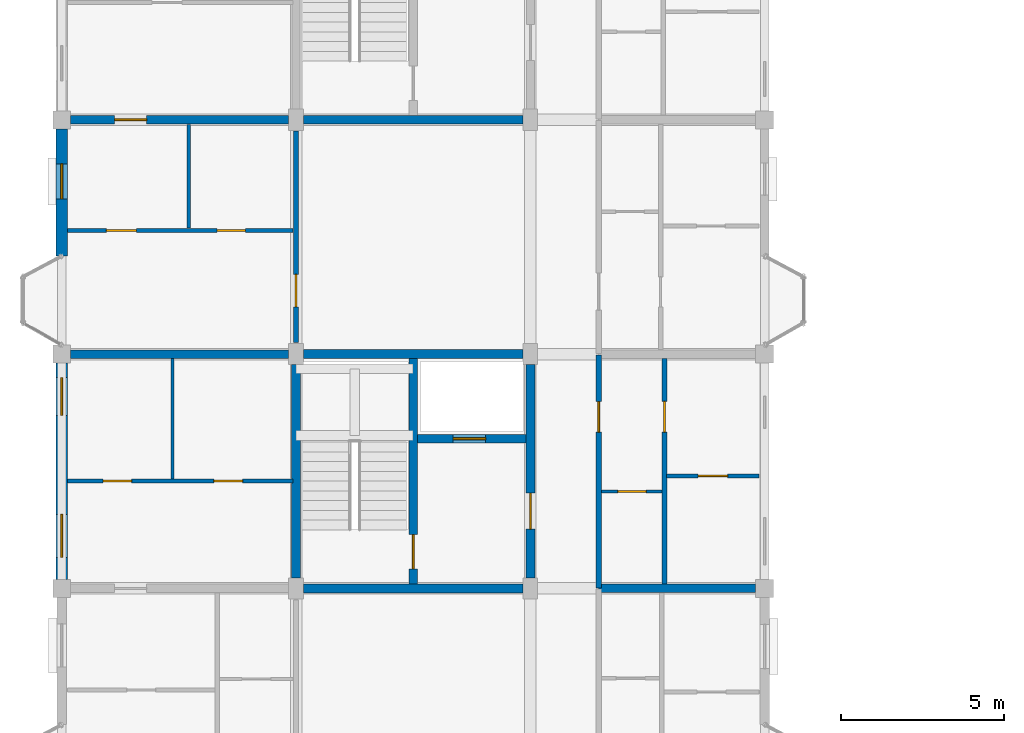
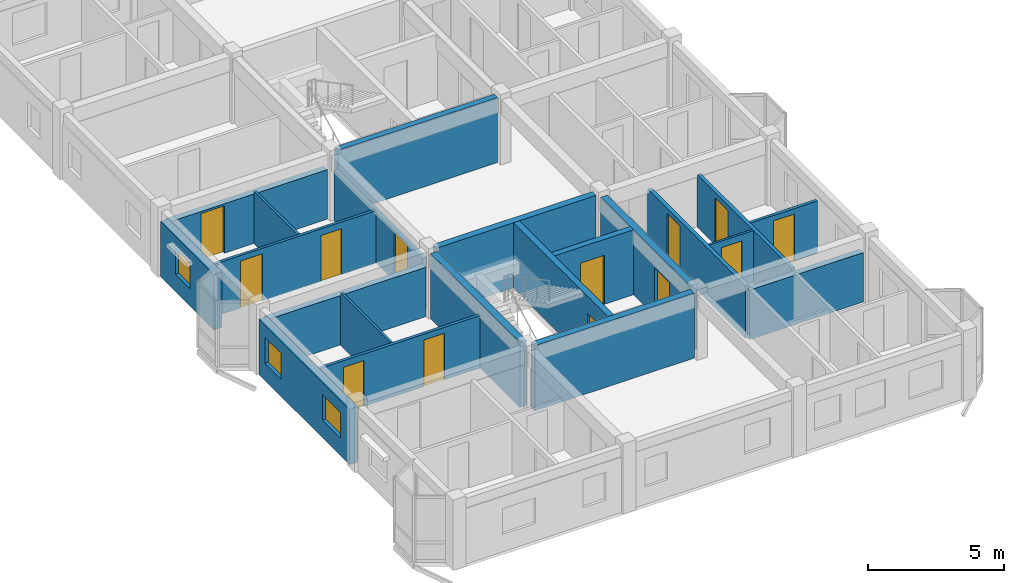
# One storey, part 56 of 77: 21 walls, 13 doors, 3 windows, 16 openings.
"""IFC4 building model written with IfcOpenShell, lengths in metres."""

from ifc_helpers import new_model, si_unit, direction, frame, frame_2d, origin, place, context, subcontext, project, spatial, rectangle, extrude, material, layer, layer_set, type_object, element, fill, save


model = new_model("IFC4")

# Units and contexts
model_context = context("Model", 3, precision=1e-05, world=origin(), true_north=direction((0.0, 1.0)))
body_context = subcontext(model_context, "Body", "Model", "MODEL_VIEW")
ifc_project = project(units=[si_unit("LENGTHUNIT", "METRE"), si_unit("AREAUNIT", "SQUARE_METRE"), si_unit("VOLUMEUNIT", "CUBIC_METRE"), si_unit("PLANEANGLEUNIT", "RADIAN"), si_unit("MASSUNIT", "GRAM", prefix="KILO"), si_unit("THERMODYNAMICTEMPERATUREUNIT", "KELVIN"), si_unit("POWERUNIT", "WATT")], contexts=[model_context])

# Site, building, storey
site_placement = place(None, origin())
site = spatial("IfcSite", under=ifc_project, at=site_placement, CompositionType="ELEMENT")
building_placement = place(site_placement, origin())
building = spatial("IfcBuilding", under=site, at=building_placement, Name="Tavuni Mirador Residences", CompositionType="ELEMENT")
storey_placement = place(building_placement, frame((0.0, 0.0, 10.800048828125)))
storey = spatial("IfcBuildingStorey", under=building, at=storey_placement, Name="L03", CompositionType="ELEMENT", Elevation=10.800048828125)

# Wall, opening, door
ifc_material_1 = material(Name="Precast concrete C40/50", Category="concrete")
ifc_layer_1 = layer(ifc_material_1, 0.25, Name="Precast concrete C40/50", Category="concrete")
ifc_layer_set_1 = layer_set([ifc_layer_1], Name="Precast concrete C40/50")
wall_type_1 = type_object("IfcWallType", Name="WT-COR250", PredefinedType="SHEAR", material=ifc_layer_set_1)
wall_1_placement = place(storey_placement, frame((14.39990234375, 72.139892578125, 0.0), z_axis=(0.0, 0.0, 1.0), x_axis=(0.0, 1.0, 0.0)))
wall_1 = element("IfcWall", 1, at=wall_1_placement, inside=storey, type_object=wall_type_1, Name="CWALL-C3-L03-MID", PredefinedType="SHEAR", context=body_context, shape_type="SweptSolid", body=[
    extrude(rectangle(XDim=6.920166015625, YDim=0.25, at=frame_2d((3.4599609375, 0.0))), origin(), (0.0, 0.0, 1.0), 2.909912109375),
])
opening_1_placement = place(wall_1_placement, frame((0.4599609375, 0.0, 0.0)))
opening_1 = element("IfcOpeningElement", 2, at=opening_1_placement, cuts=wall_1, Name="Opening D-01", PredefinedType="OPENING", context=body_context, shape_type="SweptSolid", body=[
    extrude(rectangle(XDim=1.050048828125, YDim=2.14990234375, at=frame_2d((0.52490234375, 1.074951171875))), frame((0.0, 0.135009765625, 0.0), z_axis=(0.0, -1.0, 0.0), x_axis=(1.0, 0.0, 0.0)), (0.0, 0.0, 1.0), 0.27001953125),
])
ifc_material_2 = material(Name="Solid core iroko timber", Category="wood")
door_type_1 = type_object("IfcDoorType", Name="DT-ST1050", OperationType="NOTDEFINED", PredefinedType="DOOR", material=ifc_material_2)
door_1_placement = place(opening_1_placement, origin())
door_1 = element("IfcDoor", 3, at=door_1_placement, inside=storey, type_object=door_type_1, Name="DR-2122", OperationType="SINGLE_SWING_RIGHT", OverallHeight=2.14990234375, OverallWidth=1.050048828125, PredefinedType="DOOR", context=body_context, shape_type="SweptSolid", body=[
    extrude(rectangle(XDim=1.050048828125, YDim=2.14990234375, at=frame_2d((0.52490234375, 1.074951171875))), frame((0.0, 0.02490234375, 0.0), z_axis=(0.0, -1.0, 0.0), x_axis=(1.0, 0.0, 0.0)), (0.0, 0.0, 1.0), 0.050048828125),
])
fill(opening_1, door_1)

wall_2_placement = place(storey_placement, frame((14.52490234375, 76.60009765625, 0.0), z_axis=(0.0, 0.0, 1.0), x_axis=(1.0, 0.0, 0.0)))
wall_2 = element("IfcWall", 4, at=wall_2_placement, inside=storey, type_object=wall_type_1, Name="CWALL-C3-L03-SHF", PredefinedType="SHEAR", context=body_context, shape_type="SweptSolid", body=[
    extrude(rectangle(XDim=3.335205078125, YDim=0.25, at=frame_2d((1.66748046875, 0.0))), origin(), (0.0, 0.0, 1.0), 2.909912109375),
])
opening_2_placement = place(wall_2_placement, frame((1.10009765625, 0.0, 0.0)))
opening_2 = element("IfcOpeningElement", 5, at=opening_2_placement, cuts=wall_2, Name="Opening LD-02", PredefinedType="OPENING", context=body_context, shape_type="SweptSolid", body=[
    extrude(rectangle(XDim=1.0, YDim=2.199951171875, at=frame_2d((0.5, 1.10009765625))), frame((0.0, 0.135009765625, 0.0), z_axis=(0.0, -1.0, 0.0), x_axis=(1.0, 0.0, 0.0)), (0.0, 0.0, 1.0), 0.27001953125),
])
ifc_material_3 = material(Name="Structural steel S355", Category="steel")
door_type_2 = type_object("IfcDoorType", Name="DT-LD-PAX", OperationType="SLIDING_TO_LEFT", PredefinedType="DOOR", material=ifc_material_3)
door_2_placement = place(opening_2_placement, origin())
door_2 = element("IfcDoor", 6, at=door_2_placement, inside=storey, type_object=door_type_2, Name="Lift landing door PL-B1 L03", OperationType="SLIDING_TO_LEFT", OverallHeight=2.199951171875, OverallWidth=1.0, PredefinedType="DOOR", context=body_context, shape_type="SweptSolid", body=[
    extrude(rectangle(XDim=1.0, YDim=2.199951171875, at=frame_2d((0.5, 1.10009765625))), frame((0.0, 0.02490234375, 0.0), z_axis=(0.0, -1.0, 0.0), x_axis=(1.0, 0.0, 0.0)), (0.0, 0.0, 1.0), 0.050048828125),
])
fill(opening_2, door_2)

# Walls
wall_3_placement = place(storey_placement, frame((11.02490234375, 86.39990234375, 0.0), z_axis=(0.0, 0.0, 1.0), x_axis=(1.0, 0.0, 0.0)))
element("IfcWall", 7, at=wall_3_placement, inside=storey, type_object=wall_type_1, Name="CWALL-C4-L03-SS", PredefinedType="SHEAR", context=body_context, shape_type="SweptSolid", body=[
    extrude(rectangle(XDim=6.75, YDim=0.25, at=frame_2d((3.375, 0.0))), origin(), (0.0, 0.0, 1.0), 2.909912109375),
])
ifc_layer_2 = layer(ifc_material_1, 0.280029296875, Name="Precast concrete C40/50", Category="concrete")
ifc_layer_set_2 = layer_set([ifc_layer_2], Name="Precast concrete C40/50")
wall_type_2 = type_object("IfcWallType", Name="WT-COR280", PredefinedType="SHEAR", material=ifc_layer_set_2)
wall_4_placement = place(storey_placement, frame((10.800048828125, 72.324951171875, 0.0), z_axis=(0.0, 0.0, 1.0), x_axis=(0.0, 1.0, 0.0)))
element("IfcWall", 8, at=wall_4_placement, inside=storey, type_object=wall_type_2, Name="CWALL-C3-L03-W", PredefinedType="SHEAR", context=body_context, shape_type="SweptSolid", body=[
    extrude(rectangle(XDim=6.550048828125, YDim=0.280029296875, at=frame_2d((3.27490234375, 0.0))), origin(), (0.0, 0.0, 1.0), 2.909912109375),
])
wall_5_placement = place(storey_placement, frame((11.02490234375, 79.199951171875, 0.0), z_axis=(0.0, 0.0, 1.0), x_axis=(1.0, 0.0, 0.0)))
element("IfcWall", 9, at=wall_5_placement, inside=storey, type_object=wall_type_2, Name="CWALL-C3-L03-N", PredefinedType="SHEAR", context=body_context, shape_type="SweptSolid", body=[
    extrude(rectangle(XDim=6.75, YDim=0.280029296875, at=frame_2d((3.375, 0.0))), origin(), (0.0, 0.0, 1.0), 2.909912109375),
])

# Wall, opening, door
wall_6_placement = place(storey_placement, frame((18.0, 72.324951171875, 0.0), z_axis=(0.0, 0.0, 1.0), x_axis=(0.0, 1.0, 0.0)))
wall_6 = element("IfcWall", 10, at=wall_6_placement, inside=storey, type_object=wall_type_2, Name="CWALL-C3-L03-E", PredefinedType="SHEAR", context=body_context, shape_type="SweptSolid", body=[
    extrude(rectangle(XDim=6.550048828125, YDim=0.280029296875, at=frame_2d((3.27490234375, 0.0))), origin(), (0.0, 0.0, 1.0), 2.909912109375),
])
opening_3_placement = place(wall_6_placement, frame((1.5, 0.0, 0.0)))
opening_3 = element("IfcOpeningElement", 11, at=opening_3_placement, cuts=wall_6, Name="Opening D-02", PredefinedType="OPENING", context=body_context, shape_type="SweptSolid", body=[
    extrude(rectangle(XDim=1.10009765625, YDim=2.14990234375, at=frame_2d((0.550048828125, 1.074951171875))), frame((0.0, 0.14990234375, 0.0), z_axis=(0.0, -1.0, 0.0), x_axis=(1.0, 0.0, 0.0)), (0.0, 0.0, 1.0), 0.300048828125),
])
door_type_3 = type_object("IfcDoorType", Name="DT-LOB1100", OperationType="NOTDEFINED", PredefinedType="DOOR", material=ifc_material_2)
door_3_placement = place(opening_3_placement, frame((1.10009765625, 0.0, 0.0), z_axis=(0.0, 0.0, 1.0), x_axis=(-1.0, 0.0, 0.0)))
door_3 = element("IfcDoor", 12, at=door_3_placement, inside=storey, type_object=door_type_3, Name="DR-2121", OperationType="SINGLE_SWING_RIGHT", OverallHeight=2.14990234375, OverallWidth=1.10009765625, PredefinedType="DOOR", context=body_context, shape_type="SweptSolid", body=[
    extrude(rectangle(XDim=1.10009765625, YDim=2.14990234375, at=frame_2d((0.550048828125, 1.074951171875))), frame((0.0, 0.02490234375, 0.0), z_axis=(0.0, -1.0, 0.0), x_axis=(1.0, 0.0, 0.0)), (0.0, 0.0, 1.0), 0.050048828125),
])
fill(opening_3, door_3)

# Wall
wall_7_placement = place(storey_placement, frame((11.02490234375, 72.0, 0.0), z_axis=(0.0, 0.0, 1.0), x_axis=(1.0, 0.0, 0.0)))
element("IfcWall", 13, at=wall_7_placement, inside=storey, type_object=wall_type_2, Name="CWALL-C3-L03-SS", PredefinedType="SHEAR", context=body_context, shape_type="SweptSolid", body=[
    extrude(rectangle(XDim=6.75, YDim=0.280029296875, at=frame_2d((3.375, 0.0))), origin(), (0.0, 0.0, 1.0), 2.909912109375),
])

# Wall, opening, door
ifc_layer_3 = layer(ifc_material_1, 0.1650390625, Name="Precast concrete C40/50", Category="concrete")
ifc_layer_set_3 = layer_set([ifc_layer_3], Name="Precast concrete C40/50")
wall_type_3 = type_object("IfcWallType", Name="WT-CORR165", PredefinedType="PARTITIONING", material=ifc_layer_set_3)
wall_8_placement = place(storey_placement, frame((20.10009765625, 72.02001953125, 0.0), z_axis=(0.0, 0.0, 1.0), x_axis=(0.0, 1.0, 0.0)))
wall_8 = element("IfcWall", 14, at=wall_8_placement, inside=storey, type_object=wall_type_3, Name="CORW-BLK-B-L03-0-01", PredefinedType="PARTITIONING", context=body_context, shape_type="SweptSolid", body=[
    extrude(rectangle(XDim=7.159912109375, YDim=0.1650390625, at=frame_2d((3.580078125, 0.0))), origin(), (0.0, 0.0, 1.0), 2.344970703125),
])
opening_4_placement = place(wall_8_placement, frame((4.780029296875, 0.0, 0.0)))
opening_4 = element("IfcOpeningElement", 15, at=opening_4_placement, cuts=wall_8, Name="Opening D-19", PredefinedType="OPENING", context=body_context, shape_type="SweptSolid", body=[
    extrude(rectangle(XDim=0.93994140625, YDim=2.1201171875, at=frame_2d((0.469970703125, 1.06005859375))), frame((0.0, 0.092529296875, 0.0), z_axis=(0.0, -1.0, 0.0), x_axis=(1.0, 0.0, 0.0)), (0.0, 0.0, 1.0), 0.18505859375),
])
door_type_4 = type_object("IfcDoorType", Name="DT-FD60-940", OperationType="NOTDEFINED", PredefinedType="DOOR", material=ifc_material_2)
door_4_placement = place(opening_4_placement, origin())
door_4 = element("IfcDoor", 16, at=door_4_placement, inside=storey, type_object=door_type_4, Name="DR-2554", OperationType="SINGLE_SWING_LEFT", OverallHeight=2.1201171875, OverallWidth=0.93994140625, PredefinedType="DOOR", context=body_context, shape_type="SweptSolid", body=[
    extrude(rectangle(XDim=0.93994140625, YDim=2.1201171875, at=frame_2d((0.469970703125, 1.06005859375))), frame((0.0, 0.02490234375, 0.0), z_axis=(0.0, -1.0, 0.0), x_axis=(1.0, 0.0, 0.0)), (0.0, 0.0, 1.0), 0.050048828125),
])
fill(opening_4, door_4)

wall_9_placement = place(storey_placement, frame((10.800048828125, 79.550048828125, 0.0), z_axis=(0.0, 0.0, 1.0), x_axis=(0.0, 1.0, 0.0)))
wall_9 = element("IfcWall", 17, at=wall_9_placement, inside=storey, type_object=wall_type_3, Name="CORW-BLK-B-L03-1-02", PredefinedType="PARTITIONING", context=body_context, shape_type="SweptSolid", body=[
    extrude(rectangle(XDim=6.5, YDim=0.1650390625, at=frame_2d((3.25, 0.0))), origin(), (0.0, 0.0, 1.0), 2.260009765625),
])
opening_5_placement = place(wall_9_placement, frame((1.10009765625, 0.0, 0.0)))
opening_5 = element("IfcOpeningElement", 18, at=opening_5_placement, cuts=wall_9, Name="Opening D-03", PredefinedType="OPENING", context=body_context, shape_type="SweptSolid", body=[
    extrude(rectangle(XDim=1.0, YDim=2.14990234375, at=frame_2d((0.5, 1.074951171875))), frame((0.0, 0.092529296875, 0.0), z_axis=(0.0, -1.0, 0.0), x_axis=(1.0, 0.0, 0.0)), (0.0, 0.0, 1.0), 0.18505859375),
])
door_type_5 = type_object("IfcDoorType", Name="DT-FD60-1000", OperationType="NOTDEFINED", PredefinedType="DOOR", material=ifc_material_2)
door_5_placement = place(opening_5_placement, origin())
door_5 = element("IfcDoor", 19, at=door_5_placement, inside=storey, type_object=door_type_5, Name="DR-2559", OperationType="SINGLE_SWING_RIGHT", OverallHeight=2.14990234375, OverallWidth=1.0, PredefinedType="DOOR", context=body_context, shape_type="SweptSolid", body=[
    extrude(rectangle(XDim=1.0, YDim=2.14990234375, at=frame_2d((0.5, 1.074951171875))), frame((0.0, 0.02490234375, 0.0), z_axis=(0.0, -1.0, 0.0), x_axis=(1.0, 0.0, 0.0)), (0.0, 0.0, 1.0), 0.050048828125),
])
fill(opening_5, door_5)

# Wall, opening, window
ifc_material_4 = material(Name="Sgraffito lime-rendered precast concrete C40/50", Category="concrete")
ifc_layer_4 = layer(ifc_material_4, 0.344970703125, Name="Sgraffito lime-rendered precast concrete C40/50", Category="concrete")
ifc_layer_set_4 = layer_set([ifc_layer_4], Name="Sgraffito lime-rendered precast concrete C40/50")
wall_type_4 = type_object("IfcWallType", Name="WT-EXT-PTY345", PredefinedType="SOLIDWALL", material=ifc_layer_set_4)
wall_10_placement = place(storey_placement, frame((3.60009765625, 86.125, 0.0), z_axis=(0.0, 0.0, 1.0), x_axis=(0.0, -1.0, 0.0)))
wall_10 = element("IfcWall", 20, at=wall_10_placement, inside=storey, type_object=wall_type_4, Name="EW-BLK-B-L03-W02", PredefinedType="SOLIDWALL", context=body_context, shape_type="SweptSolid", body=[
    extrude(rectangle(XDim=3.905029296875, YDim=0.344970703125, at=frame_2d((1.95263671875, 0.0))), origin(), (0.0, 0.0, 1.0), 2.47998046875),
])
opening_6_placement = place(wall_10_placement, frame((1.077392578125, 0.0, 0.780029296875)))
opening_6 = element("IfcOpeningElement", 21, at=opening_6_placement, cuts=wall_10, Name="Opening WN-04", PredefinedType="OPENING", context=body_context, shape_type="SweptSolid", body=[
    extrude(rectangle(XDim=1.080078125, YDim=1.14990234375, at=frame_2d((0.5400390625, 0.574951171875))), frame((0.0, 0.1826171875, 0.0), z_axis=(0.0, -1.0, 0.0), x_axis=(1.0, 0.0, 0.0)), (0.0, 0.0, 1.0), 0.364990234375),
])
ifc_material_5 = material(Name="Laminated solar-control glass", Category="glass")
window_type_1 = type_object("IfcWindowType", Name="WNT-04", PartitioningType="SINGLE_PANEL", PredefinedType="WINDOW", material=ifc_material_5)
window_1_placement = place(opening_6_placement, origin())
window_1 = element("IfcWindow", 22, at=window_1_placement, inside=storey, type_object=window_type_1, Name="WIN-0660", OverallHeight=1.14990234375, OverallWidth=1.080078125, PartitioningType="SINGLE_PANEL", PredefinedType="WINDOW", context=body_context, shape_type="SweptSolid", body=[
    extrude(rectangle(XDim=1.080078125, YDim=1.14990234375, at=frame_2d((0.5400390625, 0.574951171875))), frame((0.0, 0.030029296875, 0.0), z_axis=(0.0, -1.0, 0.0), x_axis=(1.0, 0.0, 0.0)), (0.0, 0.0, 1.0), 0.06005859375),
])
fill(opening_6, window_1)

# Wall, openings, windows
wall_11_placement = place(storey_placement, frame((3.60009765625, 78.925048828125, 0.0), z_axis=(0.0, 0.0, 1.0), x_axis=(0.0, -1.0, 0.0)))
wall_11 = element("IfcWall", 23, at=wall_11_placement, inside=storey, type_object=wall_type_4, Name="EW-BLK-B-L03-W01", PredefinedType="SOLIDWALL", context=body_context, shape_type="SweptSolid", body=[
    extrude(rectangle(XDim=6.650146484375, YDim=0.344970703125, at=frame_2d((3.3251953125, 0.0))), origin(), (0.0, 0.0, 1.0), 2.47998046875),
])
opening_7_placement = place(wall_11_placement, frame((0.449951171875, 0.0, 0.780029296875)))
opening_7 = element("IfcOpeningElement", 24, at=opening_7_placement, cuts=wall_11, Name="Opening WN-05", PredefinedType="OPENING", context=body_context, shape_type="SweptSolid", body=[
    extrude(rectangle(XDim=1.159912109375, YDim=1.14990234375, at=frame_2d((0.580078125, 0.574951171875))), frame((0.0, 0.1826171875, 0.0), z_axis=(0.0, -1.0, 0.0), x_axis=(1.0, 0.0, 0.0)), (0.0, 0.0, 1.0), 0.364990234375),
])
opening_8_placement = place(wall_11_placement, frame((4.64990234375, 0.0, 0.780029296875)))
opening_8 = element("IfcOpeningElement", 25, at=opening_8_placement, cuts=wall_11, Name="Opening WN-07", PredefinedType="OPENING", context=body_context, shape_type="SweptSolid", body=[
    extrude(rectangle(XDim=1.320068359375, YDim=1.14990234375, at=frame_2d((0.66015625, 0.574951171875))), frame((0.0, 0.1826171875, 0.0), z_axis=(0.0, -1.0, 0.0), x_axis=(1.0, 0.0, 0.0)), (0.0, 0.0, 1.0), 0.364990234375),
])
window_type_2 = type_object("IfcWindowType", Name="WNT-05", PartitioningType="SINGLE_PANEL", PredefinedType="WINDOW", material=ifc_material_5)
window_2_placement = place(opening_7_placement, origin())
window_2 = element("IfcWindow", 26, at=window_2_placement, inside=storey, type_object=window_type_2, Name="WIN-0661", OverallHeight=1.14990234375, OverallWidth=1.159912109375, PartitioningType="SINGLE_PANEL", PredefinedType="WINDOW", context=body_context, shape_type="SweptSolid", body=[
    extrude(rectangle(XDim=1.159912109375, YDim=1.14990234375, at=frame_2d((0.580078125, 0.574951171875))), frame((0.0, 0.030029296875, 0.0), z_axis=(0.0, -1.0, 0.0), x_axis=(1.0, 0.0, 0.0)), (0.0, 0.0, 1.0), 0.06005859375),
])
fill(opening_7, window_2)
window_type_3 = type_object("IfcWindowType", Name="WNT-07", PartitioningType="SINGLE_PANEL", PredefinedType="WINDOW", material=ifc_material_5)
window_3_placement = place(opening_8_placement, origin())
window_3 = element("IfcWindow", 27, at=window_3_placement, inside=storey, type_object=window_type_3, Name="WIN-0662", OverallHeight=1.14990234375, OverallWidth=1.320068359375, PartitioningType="SINGLE_PANEL", PredefinedType="WINDOW", context=body_context, shape_type="SweptSolid", body=[
    extrude(rectangle(XDim=1.320068359375, YDim=1.14990234375, at=frame_2d((0.66015625, 0.574951171875))), frame((0.0, 0.030029296875, 0.0), z_axis=(0.0, -1.0, 0.0), x_axis=(1.0, 0.0, 0.0)), (0.0, 0.0, 1.0), 0.06005859375),
])
fill(opening_8, window_3)

# Wall
ifc_material_6 = material(Name="Acoustic gypsum and concrete block partition", Category="concrete")
ifc_layer_5 = layer(ifc_material_6, 0.094970703125, Name="Acoustic gypsum and concrete block partition", Category="concrete")
ifc_layer_set_5 = layer_set([ifc_layer_5], Name="Acoustic gypsum and concrete block partition")
wall_type_5 = type_object("IfcWallType", Name="WT-PART095", PredefinedType="PARTITIONING", material=ifc_layer_set_5)
wall_12_placement = place(storey_placement, frame((7.0, 75.3701171875, 0.0), z_axis=(0.0, 0.0, 1.0), x_axis=(0.0, 1.0, 0.0)))
element("IfcWall", 28, at=wall_12_placement, inside=storey, type_object=wall_type_5, Name="PW-BLK-B-L03-PF01-V", PredefinedType="PARTITIONING", context=body_context, shape_type="SweptSolid", body=[
    extrude(rectangle(XDim=3.68994140625, YDim=0.094970703125, at=frame_2d((1.844970703125, 0.0))), origin(), (0.0, 0.0, 1.0), 2.344970703125),
])

# Wall, opening, door
wall_13_placement = place(storey_placement, frame((20.18994140625, 74.97998046875, 0.0), z_axis=(0.0, 0.0, 1.0), x_axis=(1.0, 0.0, 0.0)))
wall_13 = element("IfcWall", 29, at=wall_13_placement, inside=storey, type_object=wall_type_5, Name="PW-BLK-B-L03-E01-IN1", PredefinedType="PARTITIONING", context=body_context, shape_type="SweptSolid", body=[
    extrude(rectangle(XDim=1.860107421875, YDim=0.094970703125, at=frame_2d((0.93017578125, 0.0))), origin(), (0.0, 0.0, 1.0), 2.344970703125),
])
opening_9_placement = place(wall_13_placement, frame((0.4951171875, 0.0, 0.0)))
opening_9 = element("IfcOpeningElement", 30, at=opening_9_placement, cuts=wall_13, Name="Opening D-10", PredefinedType="OPENING", context=body_context, shape_type="SweptSolid", body=[
    extrude(rectangle(XDim=0.8701171875, YDim=2.050048828125, at=frame_2d((0.43505859375, 1.02490234375))), frame((0.0, 0.0576171875, 0.0), z_axis=(0.0, -1.0, 0.0), x_axis=(1.0, 0.0, 0.0)), (0.0, 0.0, 1.0), 0.114990234375),
])
door_type_6 = type_object("IfcDoorType", Name="DT-WC870", OperationType="NOTDEFINED", PredefinedType="DOOR", material=ifc_material_2)
door_6_placement = place(opening_9_placement, origin())
door_6 = element("IfcDoor", 31, at=door_6_placement, inside=storey, type_object=door_type_6, Name="DR-3510", OperationType="SINGLE_SWING_RIGHT", OverallHeight=2.050048828125, OverallWidth=0.8701171875, PredefinedType="DOOR", context=body_context, shape_type="SweptSolid", body=[
    extrude(rectangle(XDim=0.8701171875, YDim=2.050048828125, at=frame_2d((0.43505859375, 1.02490234375))), frame((0.0, 0.02490234375, 0.0), z_axis=(0.0, -1.0, 0.0), x_axis=(1.0, 0.0, 0.0)), (0.0, 0.0, 1.0), 0.050048828125),
])
fill(opening_9, door_6)

# Wall
ifc_layer_6 = layer(ifc_material_6, 0.10498046875, Name="Acoustic gypsum and concrete block partition", Category="concrete")
ifc_layer_set_6 = layer_set([ifc_layer_6], Name="Acoustic gypsum and concrete block partition")
wall_type_6 = type_object("IfcWallType", Name="WT-PART105", PredefinedType="PARTITIONING", material=ifc_layer_set_6)
wall_14_placement = place(storey_placement, frame((7.5, 83.070068359375, 0.0), z_axis=(0.0, 0.0, 1.0), x_axis=(0.0, 1.0, 0.0)))
element("IfcWall", 32, at=wall_14_placement, inside=storey, type_object=wall_type_6, Name="PW-BLK-B-L03-PF02-V", PredefinedType="PARTITIONING", context=body_context, shape_type="SweptSolid", body=[
    extrude(rectangle(XDim=3.18994140625, YDim=0.10498046875, at=frame_2d((1.594970703125, 0.0))), origin(), (0.0, 0.0, 1.0), 2.344970703125),
])

# Wall, openings, doors
ifc_layer_7 = layer(ifc_material_6, 0.114990234375, Name="Acoustic gypsum and concrete block partition", Category="concrete")
ifc_layer_set_7 = layer_set([ifc_layer_7], Name="Acoustic gypsum and concrete block partition")
wall_type_7 = type_object("IfcWallType", Name="WT-PART115", PredefinedType="PARTITIONING", material=ifc_layer_set_7)
wall_15_placement = place(storey_placement, frame((3.77490234375, 83.0, 0.0), z_axis=(0.0, 0.0, 1.0), x_axis=(1.0, 0.0, 0.0)))
wall_15 = element("IfcWall", 33, at=wall_15_placement, inside=storey, type_object=wall_type_7, Name="PW-BLK-B-L03-PF02-H", PredefinedType="PARTITIONING", context=body_context, shape_type="SweptSolid", body=[
    extrude(rectangle(XDim=6.93505859375, YDim=0.114990234375, at=frame_2d((3.467529296875, 0.0))), origin(), (0.0, 0.0, 1.0), 2.344970703125),
])
opening_10_placement = place(wall_15_placement, frame((4.60009765625, 0.0, 0.0)))
opening_10 = element("IfcOpeningElement", 34, at=opening_10_placement, cuts=wall_15, Name="Opening D-10", PredefinedType="OPENING", context=body_context, shape_type="SweptSolid", body=[
    extrude(rectangle(XDim=0.8701171875, YDim=2.050048828125, at=frame_2d((0.43505859375, 1.02490234375))), frame((0.0, 0.0673828125, 0.0), z_axis=(0.0, -1.0, 0.0), x_axis=(1.0, 0.0, 0.0)), (0.0, 0.0, 1.0), 0.135009765625),
])
opening_11_placement = place(wall_15_placement, frame((1.199951171875, 0.0, 0.0)))
opening_11 = element("IfcOpeningElement", 35, at=opening_11_placement, cuts=wall_15, Name="Opening D-06", PredefinedType="OPENING", context=body_context, shape_type="SweptSolid", body=[
    extrude(rectangle(XDim=0.919921875, YDim=2.10009765625, at=frame_2d((0.4599609375, 1.050048828125))), frame((0.0, 0.0673828125, 0.0), z_axis=(0.0, -1.0, 0.0), x_axis=(1.0, 0.0, 0.0)), (0.0, 0.0, 1.0), 0.135009765625),
])
door_type_7 = type_object("IfcDoorType", Name="DT-INT920", OperationType="NOTDEFINED", PredefinedType="DOOR", material=ifc_material_2)
door_7_placement = place(opening_11_placement, origin())
door_7 = element("IfcDoor", 36, at=door_7_placement, inside=storey, type_object=door_type_7, Name="DR-3513", OperationType="SINGLE_SWING_RIGHT", OverallHeight=2.10009765625, OverallWidth=0.919921875, PredefinedType="DOOR", context=body_context, shape_type="SweptSolid", body=[
    extrude(rectangle(XDim=0.919921875, YDim=2.10009765625, at=frame_2d((0.4599609375, 1.050048828125))), frame((0.0, 0.02490234375, 0.0), z_axis=(0.0, -1.0, 0.0), x_axis=(1.0, 0.0, 0.0)), (0.0, 0.0, 1.0), 0.050048828125),
])
fill(opening_11, door_7)
door_8_placement = place(opening_10_placement, origin())
door_8 = element("IfcDoor", 37, at=door_8_placement, inside=storey, type_object=door_type_6, Name="DR-3512", OperationType="SINGLE_SWING_LEFT", OverallHeight=2.050048828125, OverallWidth=0.8701171875, PredefinedType="DOOR", context=body_context, shape_type="SweptSolid", body=[
    extrude(rectangle(XDim=0.8701171875, YDim=2.050048828125, at=frame_2d((0.43505859375, 1.02490234375))), frame((0.0, 0.02490234375, 0.0), z_axis=(0.0, -1.0, 0.0), x_axis=(1.0, 0.0, 0.0)), (0.0, 0.0, 1.0), 0.050048828125),
])
fill(opening_10, door_8)

ifc_layer_8 = layer(ifc_material_6, 0.125, Name="Acoustic gypsum and concrete block partition", Category="concrete")
ifc_layer_set_8 = layer_set([ifc_layer_8], Name="Acoustic gypsum and concrete block partition")
wall_type_8 = type_object("IfcWallType", Name="WT-PART125", PredefinedType="PARTITIONING", material=ifc_layer_set_8)
wall_16_placement = place(storey_placement, frame((3.77490234375, 75.300048828125, 0.0), z_axis=(0.0, 0.0, 1.0), x_axis=(1.0, 0.0, 0.0)))
wall_16 = element("IfcWall", 38, at=wall_16_placement, inside=storey, type_object=wall_type_8, Name="PW-BLK-B-L03-PF01-H", PredefinedType="PARTITIONING", context=body_context, shape_type="SweptSolid", body=[
    extrude(rectangle(XDim=6.93505859375, YDim=0.125, at=frame_2d((3.467529296875, 0.0))), origin(), (0.0, 0.0, 1.0), 2.344970703125),
])
opening_12_placement = place(wall_16_placement, frame((1.10009765625, 0.0, 0.0)))
opening_12 = element("IfcOpeningElement", 39, at=opening_12_placement, cuts=wall_16, Name="Opening D-10", PredefinedType="OPENING", context=body_context, shape_type="SweptSolid", body=[
    extrude(rectangle(XDim=0.8701171875, YDim=2.050048828125, at=frame_2d((0.43505859375, 1.02490234375))), frame((0.0, 0.072509765625, 0.0), z_axis=(0.0, -1.0, 0.0), x_axis=(1.0, 0.0, 0.0)), (0.0, 0.0, 1.0), 0.14501953125),
])
opening_13_placement = place(wall_16_placement, frame((4.5, 0.0, 0.0)))
opening_13 = element("IfcOpeningElement", 40, at=opening_13_placement, cuts=wall_16, Name="Opening D-08", PredefinedType="OPENING", context=body_context, shape_type="SweptSolid", body=[
    extrude(rectangle(XDim=0.8798828125, YDim=2.080078125, at=frame_2d((0.43994140625, 1.0400390625))), frame((0.0, 0.072509765625, 0.0), z_axis=(0.0, -1.0, 0.0), x_axis=(1.0, 0.0, 0.0)), (0.0, 0.0, 1.0), 0.14501953125),
])
door_type_8 = type_object("IfcDoorType", Name="DT-BED880", OperationType="NOTDEFINED", PredefinedType="DOOR", material=ifc_material_2)
door_9_placement = place(opening_13_placement, origin())
door_9 = element("IfcDoor", 41, at=door_9_placement, inside=storey, type_object=door_type_8, Name="DR-3508", OperationType="SINGLE_SWING_RIGHT", OverallHeight=2.080078125, OverallWidth=0.8798828125, PredefinedType="DOOR", context=body_context, shape_type="SweptSolid", body=[
    extrude(rectangle(XDim=0.8798828125, YDim=2.080078125, at=frame_2d((0.43994140625, 1.0400390625))), frame((0.0, 0.02490234375, 0.0), z_axis=(0.0, -1.0, 0.0), x_axis=(1.0, 0.0, 0.0)), (0.0, 0.0, 1.0), 0.050048828125),
])
fill(opening_13, door_9)
door_10_placement = place(opening_12_placement, origin())
door_10 = element("IfcDoor", 42, at=door_10_placement, inside=storey, type_object=door_type_6, Name="DR-3507", OperationType="SINGLE_SWING_LEFT", OverallHeight=2.050048828125, OverallWidth=0.8701171875, PredefinedType="DOOR", context=body_context, shape_type="SweptSolid", body=[
    extrude(rectangle(XDim=0.8701171875, YDim=2.050048828125, at=frame_2d((0.43505859375, 1.02490234375))), frame((0.0, 0.02490234375, 0.0), z_axis=(0.0, -1.0, 0.0), x_axis=(1.0, 0.0, 0.0)), (0.0, 0.0, 1.0), 0.050048828125),
])
fill(opening_12, door_10)

# Wall, opening, door
wall_17_placement = place(storey_placement, frame((22.18994140625, 75.4599609375, 0.0), z_axis=(0.0, 0.0, 1.0), x_axis=(1.0, 0.0, 0.0)))
wall_17 = element("IfcWall", 43, at=wall_17_placement, inside=storey, type_object=wall_type_8, Name="PW-BLK-B-L03-E01-OUT", PredefinedType="PARTITIONING", context=body_context, shape_type="SweptSolid", body=[
    extrude(rectangle(XDim=2.8349609375, YDim=0.125, at=frame_2d((1.41748046875, 0.0))), origin(), (0.0, 0.0, 1.0), 2.344970703125),
])
opening_14_placement = place(wall_17_placement, frame((0.967529296875, 0.0, 0.0)))
opening_14 = element("IfcOpeningElement", 44, at=opening_14_placement, cuts=wall_17, Name="Opening D-07", PredefinedType="OPENING", context=body_context, shape_type="SweptSolid", body=[
    extrude(rectangle(XDim=0.89990234375, YDim=2.10009765625, at=frame_2d((0.449951171875, 1.050048828125))), frame((0.0, 0.072509765625, 0.0), z_axis=(0.0, -1.0, 0.0), x_axis=(1.0, 0.0, 0.0)), (0.0, 0.0, 1.0), 0.14501953125),
])
door_type_9 = type_object("IfcDoorType", Name="DT-BED900", OperationType="NOTDEFINED", PredefinedType="DOOR", material=ifc_material_2)
door_11_placement = place(opening_14_placement, origin())
door_11 = element("IfcDoor", 45, at=door_11_placement, inside=storey, type_object=door_type_9, Name="DR-3509", OperationType="SINGLE_SWING_LEFT", OverallHeight=2.10009765625, OverallWidth=0.89990234375, PredefinedType="DOOR", context=body_context, shape_type="SweptSolid", body=[
    extrude(rectangle(XDim=0.89990234375, YDim=2.10009765625, at=frame_2d((0.449951171875, 1.050048828125))), frame((0.0, 0.02490234375, 0.0), z_axis=(0.0, -1.0, 0.0), x_axis=(1.0, 0.0, 0.0)), (0.0, 0.0, 1.0), 0.050048828125),
])
fill(opening_14, door_11)

ifc_layer_9 = layer(ifc_material_6, 0.14990234375, Name="Acoustic gypsum and concrete block partition", Category="concrete")
ifc_layer_set_9 = layer_set([ifc_layer_9], Name="Acoustic gypsum and concrete block partition")
wall_type_9 = type_object("IfcWallType", Name="WT-PART150", PredefinedType="PARTITIONING", material=ifc_layer_set_9)
wall_18_placement = place(storey_placement, frame((22.1201171875, 72.139892578125, 0.0), z_axis=(0.0, 0.0, 1.0), x_axis=(0.0, 1.0, 0.0)))
wall_18 = element("IfcWall", 46, at=wall_18_placement, inside=storey, type_object=wall_type_9, Name="PW-BLK-B-L03-E01-MID", PredefinedType="PARTITIONING", context=body_context, shape_type="SweptSolid", body=[
    extrude(rectangle(XDim=6.920166015625, YDim=0.14990234375, at=frame_2d((3.4599609375, 0.0))), origin(), (0.0, 0.0, 1.0), 2.344970703125),
])
opening_15_placement = place(wall_18_placement, frame((4.659912109375, 0.0, 0.0)))
opening_15 = element("IfcOpeningElement", 47, at=opening_15_placement, cuts=wall_18, Name="Opening D-05", PredefinedType="OPENING", context=body_context, shape_type="SweptSolid", body=[
    extrude(rectangle(XDim=0.949951171875, YDim=2.10009765625, at=frame_2d((0.47509765625, 1.050048828125))), frame((0.0, 0.0849609375, 0.0), z_axis=(0.0, -1.0, 0.0), x_axis=(1.0, 0.0, 0.0)), (0.0, 0.0, 1.0), 0.169921875),
])
door_type_10 = type_object("IfcDoorType", Name="DT-INT950", OperationType="NOTDEFINED", PredefinedType="DOOR", material=ifc_material_2)
door_12_placement = place(opening_15_placement, origin())
door_12 = element("IfcDoor", 48, at=door_12_placement, inside=storey, type_object=door_type_10, Name="DR-3511", OperationType="SINGLE_SWING_LEFT", OverallHeight=2.10009765625, OverallWidth=0.949951171875, PredefinedType="DOOR", context=body_context, shape_type="SweptSolid", body=[
    extrude(rectangle(XDim=0.949951171875, YDim=2.10009765625, at=frame_2d((0.47509765625, 1.050048828125))), frame((0.0, 0.02490234375, 0.0), z_axis=(0.0, -1.0, 0.0), x_axis=(1.0, 0.0, 0.0)), (0.0, 0.0, 1.0), 0.050048828125),
])
fill(opening_15, door_12)

# Walls
ifc_layer_10 = layer(ifc_material_1, 0.264892578125, Name="Precast concrete C40/50", Category="concrete")
ifc_layer_set_10 = layer_set([ifc_layer_10], Name="Precast concrete C40/50")
wall_type_10 = type_object("IfcWallType", Name="WT-XW265", PredefinedType="SOLIDWALL", material=ifc_layer_set_10)
wall_19_placement = place(storey_placement, frame((20.10009765625, 72.0, 0.0), z_axis=(0.0, 0.0, 1.0), x_axis=(1.0, 0.0, 0.0)))
element("IfcWall", 49, at=wall_19_placement, inside=storey, type_object=wall_type_10, Name="XW-BLK-B-L03-E-01", PredefinedType="SOLIDWALL", context=body_context, shape_type="SweptSolid", body=[
    extrude(rectangle(XDim=4.824951171875, YDim=0.264892578125, at=frame_2d((2.41259765625, 0.0))), origin(), (0.0, 0.0, 1.0), 2.2099609375),
])
wall_20_placement = place(storey_placement, frame((3.875, 79.199951171875, 0.0), z_axis=(0.0, 0.0, 1.0), x_axis=(1.0, 0.0, 0.0)))
element("IfcWall", 50, at=wall_20_placement, inside=storey, type_object=wall_type_10, Name="XW-BLK-B-L03-W-02", PredefinedType="SOLIDWALL", context=body_context, shape_type="SweptSolid", body=[
    extrude(rectangle(XDim=6.699951171875, YDim=0.264892578125, at=frame_2d((3.35009765625, 0.0))), origin(), (0.0, 0.0, 1.0), 2.2099609375),
])

# Wall, opening, door
wall_21_placement = place(storey_placement, frame((3.875, 86.39990234375, 0.0), z_axis=(0.0, 0.0, 1.0), x_axis=(1.0, 0.0, 0.0)))
wall_21 = element("IfcWall", 51, at=wall_21_placement, inside=storey, type_object=wall_type_10, Name="XW-BLK-B-L03-W-03", PredefinedType="SOLIDWALL", context=body_context, shape_type="SweptSolid", body=[
    extrude(rectangle(XDim=6.699951171875, YDim=0.264892578125, at=frame_2d((3.35009765625, 0.0))), origin(), (0.0, 0.0, 1.0), 2.2099609375),
])
opening_16_placement = place(wall_21_placement, frame((1.35009765625, 0.0, 0.0)))
opening_16 = element("IfcOpeningElement", 52, at=opening_16_placement, cuts=wall_21, Name="Opening D-04", PredefinedType="OPENING", context=body_context, shape_type="SweptSolid", body=[
    extrude(rectangle(XDim=0.97998046875, YDim=2.1201171875, at=frame_2d((0.489990234375, 1.06005859375))), frame((0.0, 0.142578125, 0.0), z_axis=(0.0, -1.0, 0.0), x_axis=(1.0, 0.0, 0.0)), (0.0, 0.0, 1.0), 0.284912109375),
])
door_type_11 = type_object("IfcDoorType", Name="DT-FD60-980", OperationType="NOTDEFINED", PredefinedType="DOOR", material=ifc_material_2)
door_13_placement = place(opening_16_placement, origin())
door_13 = element("IfcDoor", 53, at=door_13_placement, inside=storey, type_object=door_type_11, Name="DR-4715", OperationType="SINGLE_SWING_RIGHT", OverallHeight=2.1201171875, OverallWidth=0.97998046875, PredefinedType="DOOR", context=body_context, shape_type="SweptSolid", body=[
    extrude(rectangle(XDim=0.97998046875, YDim=2.1201171875, at=frame_2d((0.489990234375, 1.06005859375))), frame((0.0, 0.02490234375, 0.0), z_axis=(0.0, -1.0, 0.0), x_axis=(1.0, 0.0, 0.0)), (0.0, 0.0, 1.0), 0.050048828125),
])
fill(opening_16, door_13)

save(model, "model.ifc")
